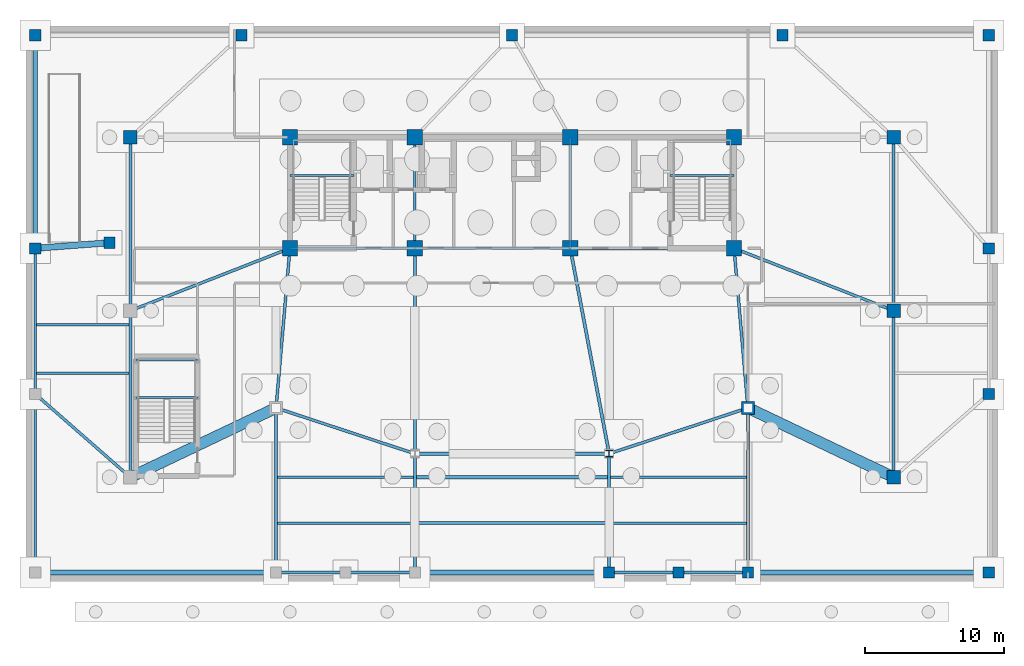
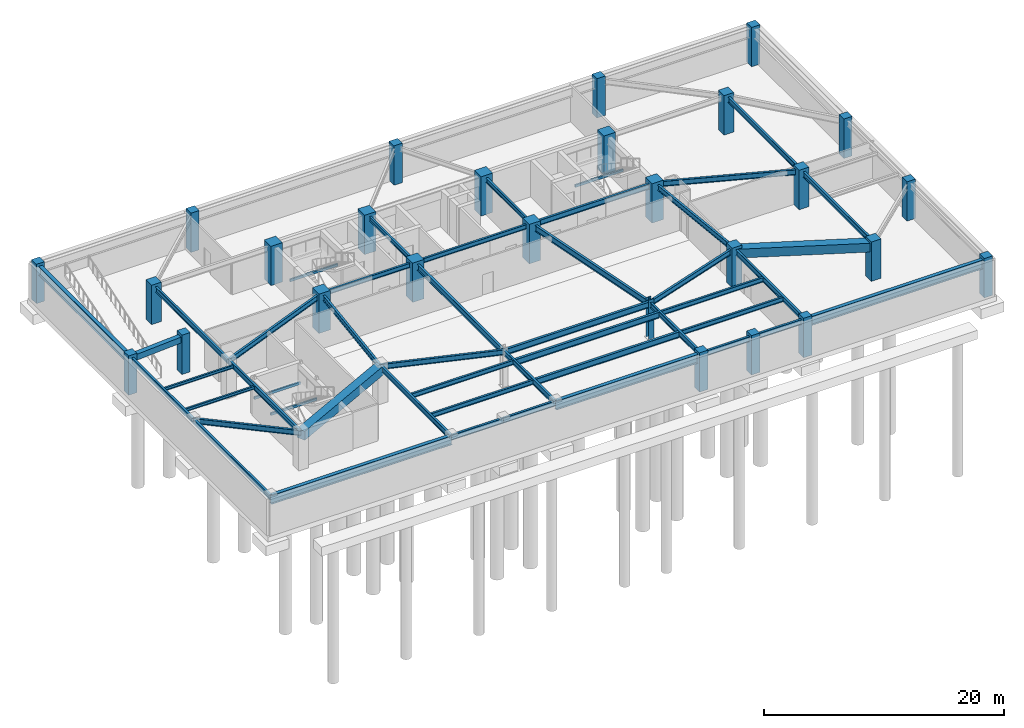
# One storey, part 3 of 10: 48 beams, 27 columns.
"""IFC4 building model written with IfcOpenShell, lengths in metres."""

from ifc_helpers import new_model, si_unit, direction, frame, origin, origin_2d, place, context, subcontext, project, spatial, rectangle, hollow_rectangle, i_section, extrude, source, transform, mapped, material, material_profile, profile_set, type_object, element, save


model = new_model("IFC4")

# Units and contexts
model_context = context("Model", 3, precision=1e-05, world=origin(), true_north=direction((0.0, 1.0)))
body_context = subcontext(model_context, "Body", "Model", "MODEL_VIEW")
ifc_project = project(units=[si_unit("LENGTHUNIT", "METRE"), si_unit("AREAUNIT", "SQUARE_METRE"), si_unit("VOLUMEUNIT", "CUBIC_METRE"), si_unit("PLANEANGLEUNIT", "RADIAN"), si_unit("MASSUNIT", "GRAM", prefix="KILO")], contexts=[model_context])

# Site, building, storey
site_placement = place(None, origin())
site = spatial("IfcSite", under=ifc_project, at=site_placement, CompositionType="ELEMENT")
building_placement = place(site_placement, origin())
building = spatial("IfcBuilding", under=site, at=building_placement, Name="Taldren Reach Tower", CompositionType="ELEMENT")
storey_placement = place(building_placement, frame((0.0, 0.0, -8.0)))
storey = spatial("IfcBuildingStorey", under=building, at=storey_placement, Name="B2", CompositionType="ELEMENT", Elevation=-8.0)

# Columns
ifc_material_1 = material(Name="Concrete S100 (100 MPa)", Category="concrete")
ifc_material_profile_1 = material_profile(ifc_material_1, rectangle(XDim=1.10009765625, YDim=1.10009765625, at=origin_2d()), Name="RC-1100x1100")
ifc_profile_set_1 = profile_set([ifc_material_profile_1], Name="Concrete S100 (100 MPa)")
column_type_1 = type_object("IfcColumnType", Name="COL-RC1100", PredefinedType="COLUMN", material=ifc_profile_set_1)
shared_shape_1 = source(origin(), body_context, "Body", "SweptSolid", [
    extrude(rectangle(XDim=1.10009765625, YDim=1.10009765625, at=origin_2d()), origin(), (0.0, 0.0, 1.0), 4.0),
])
for number, where, z_axis, x_axis, name in (
    (1, (19.0, 24.0, 0.0), (0.0, 0.0, 1.0), (1.0, 0.0, 0.0), "Mega column MC-C1 B2"),
    (2, (28.0, 24.0, 0.0), (0.0, 0.0, 1.0), (1.0, 0.0, 0.0), "Mega column MC-C2 B2"),
    (3, (39.199951171875, 24.0, 0.0), (0.0, 0.0, 1.0), (1.0, 0.0, 0.0), "Mega column MC-C3 B2"),
    (4, (51.0, 24.0, 0.0), (0.0, 0.0, 1.0), (1.0, 0.0, 0.0), "Mega column MC-C4 B2"),
    (5, (19.0, 32.0, 0.0), (0.0, 0.0, 1.0), (1.0, 0.0, 0.0), "Mega column MC-C5 B2"),
    (6, (28.0, 32.0, 0.0), (0.0, 0.0, 1.0), (1.0, 0.0, 0.0), "Mega column MC-C6 B2"),
    (7, (39.199951171875, 32.0, 0.0), (0.0, 0.0, 1.0), (1.0, 0.0, 0.0), "Mega column MC-C7 B2"),
    (8, (51.0, 32.0, 0.0), (0.0, 0.0, 1.0), (1.0, 0.0, 0.0), "Mega column MC-C8 B2"),
):
    element("IfcColumn", number, at=place(storey_placement, frame(where, z_axis=z_axis, x_axis=x_axis)), inside=storey, type_object=column_type_1, Name=name, PredefinedType="COLUMN", context=body_context, shape_type="MappedRepresentation", body=[
        mapped(shared_shape_1, transform((0.0, 0.0, 0.0), scale=1.0)),
    ])
ifc_material_2 = material(Name="Steel Gr 350 (350PLUS)", Category="steel")
ifc_material_profile_2 = material_profile(ifc_material_2, i_section(OverallWidth=0.5, OverallDepth=0.47998046875, WebThickness=0.028076171875, FlangeThickness=0.0439453125, at=origin_2d()), Name="500WC440")
ifc_profile_set_2 = profile_set([ifc_material_profile_2], Name="Steel Gr 350 (350PLUS)")
column_type_2 = type_object("IfcColumnType", Name="COL-WC500A", PredefinedType="COLUMN", material=ifc_profile_set_2)
shared_shape_2 = source(origin(), body_context, "Body", "SweptSolid", [
    extrude(i_section(OverallWidth=0.5, OverallDepth=0.47998046875, WebThickness=0.028076171875, FlangeThickness=0.0439453125, at=origin_2d()), origin(), (0.0, 0.0, 1.0), 4.0),
])
column_placement = place(storey_placement, frame((42.0, 9.199951171875, 0.0), z_axis=(0.0, 0.0, 1.0), x_axis=(1.0, 0.0, 0.0)))
element("IfcColumn", 9, at=column_placement, inside=storey, type_object=column_type_2, Name="Mega column MC-PJE B2", PredefinedType="COLUMN", context=body_context, shape_type="MappedRepresentation", body=[
    mapped(shared_shape_2, transform((0.0, 0.0, 0.0), scale=1.0)),
])
ifc_material_3 = material(Name="Concrete S80 (80 MPa)", Category="concrete")
ifc_material_profile_3 = material_profile(ifc_material_3, rectangle(XDim=0.949951171875, YDim=0.949951171875, at=origin_2d()), Name="RC-950x950")
ifc_profile_set_3 = profile_set([ifc_material_profile_3], Name="Concrete S80 (80 MPa)")
column_type_3 = type_object("IfcColumnType", Name="COL-RC950", PredefinedType="COLUMN", material=ifc_profile_set_3)
shared_shape_3 = source(origin(), body_context, "Body", "SweptSolid", [
    extrude(rectangle(XDim=0.949951171875, YDim=0.949951171875, at=origin_2d()), origin(), (0.0, 0.0, 1.0), 4.0),
])
for number, where, z_axis, x_axis, name in (
    (10, (52.0, 12.5, 0.0), (0.0, 0.0, 1.0), (1.0, 0.0, 0.0), "Mega column MC-SE B2"),
    (11, (7.5, 32.0, 0.0), (0.0, 0.0, 1.0), (1.0, 0.0, 0.0), "Podium structural column PG-3 B2"),
    (12, (62.5, 7.5, 0.0), (0.0, 0.0, 1.0), (1.0, 0.0, 0.0), "Podium structural column PG-4 B2"),
    (13, (62.5, 19.5, 0.0), (0.0, 0.0, 1.0), (1.0, 0.0, 0.0), "Podium structural column PG-5 B2"),
    (14, (62.5, 32.0, 0.0), (0.0, 0.0, 1.0), (1.0, 0.0, 0.0), "Podium structural column PG-6 B2"),
):
    element("IfcColumn", number, at=place(storey_placement, frame(where, z_axis=z_axis, x_axis=x_axis)), inside=storey, type_object=column_type_3, Name=name, PredefinedType="COLUMN", context=body_context, shape_type="MappedRepresentation", body=[
        mapped(shared_shape_3, transform((0.0, 0.0, 0.0), scale=1.0)),
    ])
ifc_material_4 = material(Name="Concrete S65 (65 MPa)", Category="concrete")
ifc_material_profile_4 = material_profile(ifc_material_4, rectangle(XDim=0.800048828125, YDim=0.800048828125, at=origin_2d()), Name="RC-800x800")
ifc_profile_set_4 = profile_set([ifc_material_profile_4], Name="Concrete S65 (65 MPa)")
column_type_4 = type_object("IfcColumnType", Name="COL-RC800", PredefinedType="COLUMN", material=ifc_profile_set_4)
shared_shape_4 = source(origin(), body_context, "Body", "SweptSolid", [
    extrude(rectangle(XDim=0.800048828125, YDim=0.800048828125, at=origin_2d()), origin(), (0.0, 0.0, 1.0), 4.0),
])
for number, where, z_axis, x_axis, name in (
    (15, (42.0, 0.64990234375, 0.0), (0.0, 0.0, 1.0), (1.0, 0.0, 0.0), "Podium structural column PG-8 B2"),
    (16, (0.64990234375, 24.0, 0.0), (0.0, 0.0, 1.0), (1.0, 0.0, 0.0), "Podium structural column PP-W3 B2"),
    (17, (0.64990234375, 39.35009765625, 0.0), (0.0, 0.0, 1.0), (1.0, 0.0, 0.0), "Podium structural column PP-W4 B2"),
    (18, (69.35009765625, 0.64990234375, 0.0), (0.0, 0.0, 1.0), (1.0, 0.0, 0.0), "Podium structural column PP-E1 B2"),
    (19, (69.35009765625, 13.5, 0.0), (0.0, 0.0, 1.0), (1.0, 0.0, 0.0), "Podium structural column PP-E2 B2"),
    (20, (69.35009765625, 24.0, 0.0), (0.0, 0.0, 1.0), (1.0, 0.0, 0.0), "Podium structural column PP-E3 B2"),
    (21, (69.35009765625, 39.35009765625, 0.0), (0.0, 0.0, 1.0), (1.0, 0.0, 0.0), "Podium structural column PP-E4 B2"),
    (22, (47.0, 0.64990234375, 0.0), (0.0, 0.0, 1.0), (1.0, 0.0, 0.0), "Podium structural column PP-S3 B2"),
    (23, (52.0, 0.64990234375, 0.0), (0.0, 0.0, 1.0), (1.0, 0.0, 0.0), "Podium structural column PP-S4 B2"),
    (24, (15.5, 39.35009765625, 0.0), (0.0, 0.0, 1.0), (1.0, 0.0, 0.0), "Podium structural column PP-N1 B2"),
    (25, (35.0, 39.35009765625, 0.0), (0.0, 0.0, 1.0), (1.0, 0.0, 0.0), "Podium structural column PP-N2 B2"),
    (26, (54.5, 39.35009765625, 0.0), (0.0, 0.0, 1.0), (1.0, 0.0, 0.0), "Podium structural column PP-N3 B2"),
    (27, (6.0, 24.39990234375, 0.0), (0.0, 0.0, 1.0), (1.0, 0.0, 0.0), "Podium structural column PG-RMP B2"),
):
    element("IfcColumn", number, at=place(storey_placement, frame(where, z_axis=z_axis, x_axis=x_axis)), inside=storey, type_object=column_type_4, Name=name, PredefinedType="COLUMN", context=body_context, shape_type="MappedRepresentation", body=[
        mapped(shared_shape_4, transform((0.0, 0.0, 0.0), scale=1.0)),
    ])

# Beams
ifc_material_profile_5 = material_profile(ifc_material_2, i_section(OverallWidth=0.19091796875, OverallDepth=0.4599609375, WebThickness=0.010009765625, FlangeThickness=0.01611328125, at=origin_2d()), Name="460UB82.1")
ifc_profile_set_5 = profile_set([ifc_material_profile_5], Name="Steel Gr 350 (350PLUS)")
beam_type_1 = type_object("IfcBeamType", Name="BM-UB460A", PredefinedType="BEAM", material=ifc_profile_set_5)
shared_shape_5 = source(origin(), body_context, "Body", "SweptSolid", [
    extrude(i_section(OverallWidth=0.19091796875, OverallDepth=0.4599609375, WebThickness=0.010009765625, FlangeThickness=0.01611328125, at=origin_2d()), origin(), (0.0, 0.0, 1.0), 9.0),
])
beam_1_placement = place(storey_placement, frame((19.0, 24.0, 3.489990234375), z_axis=(1.0, 0.0, 0.0), x_axis=(0.0, 1.0, 0.0)))
element("IfcBeam", 28, at=beam_1_placement, inside=storey, type_object=beam_type_1, Name="Core-spine girder B2-SP01", PredefinedType="BEAM", context=body_context, shape_type="MappedRepresentation", body=[
    mapped(shared_shape_5, transform((0.0, 0.0, 0.0), scale=1.0)),
])
shared_shape_6 = source(origin(), body_context, "Body", "SweptSolid", [
    extrude(i_section(OverallWidth=0.19091796875, OverallDepth=0.4599609375, WebThickness=0.010009765625, FlangeThickness=0.01611328125, at=origin_2d()), origin(), (0.0, 0.0, 1.0), 11.199951171875),
])
beam_2_placement = place(storey_placement, frame((28.0, 24.0, 3.489990234375), z_axis=(1.0, 0.0, 0.0), x_axis=(0.0, 1.0, 0.0)))
element("IfcBeam", 29, at=beam_2_placement, inside=storey, type_object=beam_type_1, Name="Core-spine girder B2-SP02", PredefinedType="BEAM", context=body_context, shape_type="MappedRepresentation", body=[
    mapped(shared_shape_6, transform((0.0, 0.0, 0.0), scale=1.0)),
])
ifc_material_profile_6 = material_profile(ifc_material_2, i_section(OverallWidth=0.208984375, OverallDepth=0.532958984375, WebThickness=0.01025390625, FlangeThickness=0.015625, at=origin_2d()), Name="530UB92.4")
ifc_profile_set_6 = profile_set([ifc_material_profile_6], Name="Steel Gr 350 (350PLUS)")
beam_type_2 = type_object("IfcBeamType", Name="BM-UB530A", PredefinedType="BEAM", material=ifc_profile_set_6)
shared_shape_7 = source(origin(), body_context, "Body", "SweptSolid", [
    extrude(i_section(OverallWidth=0.208984375, OverallDepth=0.532958984375, WebThickness=0.01025390625, FlangeThickness=0.015625, at=origin_2d()), origin(), (0.0, 0.0, 1.0), 11.800048828125),
])
beam_3_placement = place(storey_placement, frame((39.199951171875, 24.0, 3.45361328125), z_axis=(1.0, 0.0, 0.0), x_axis=(0.0, 1.0, 0.0)))
element("IfcBeam", 30, at=beam_3_placement, inside=storey, type_object=beam_type_2, Name="Core-spine girder B2-SP03", PredefinedType="BEAM", context=body_context, shape_type="MappedRepresentation", body=[
    mapped(shared_shape_7, transform((0.0, 0.0, 0.0), scale=1.0)),
])
shared_shape_8 = source(origin(), body_context, "Body", "SweptSolid", [
    extrude(i_section(OverallWidth=0.19091796875, OverallDepth=0.4599609375, WebThickness=0.010009765625, FlangeThickness=0.01611328125, at=origin_2d()), origin(), (0.0, 0.0, 1.0), 8.0),
])
for number, where, z_axis, x_axis, name in (
    (31, (28.0, 24.0, 3.489990234375), (0.0, 1.0, 0.0), (-1.0, 0.0, 0.0), "Core-spine girder B2-SP07"),
    (32, (39.199951171875, 24.0, 3.489990234375), (0.0, 1.0, 0.0), (-1.0, 0.0, 0.0), "Core-spine girder B2-SP08"),
):
    element("IfcBeam", number, at=place(storey_placement, frame(where, z_axis=z_axis, x_axis=x_axis)), inside=storey, type_object=beam_type_1, Name=name, PredefinedType="BEAM", context=body_context, shape_type="MappedRepresentation", body=[
        mapped(shared_shape_8, transform((0.0, 0.0, 0.0), scale=1.0)),
    ])
shared_shape_9 = source(origin(), body_context, "Body", "SweptSolid", [
    extrude(i_section(OverallWidth=0.208984375, OverallDepth=0.532958984375, WebThickness=0.01025390625, FlangeThickness=0.015625, at=origin_2d()), origin(), (0.0, 0.0, 1.0), 11.54345703125),
])
for number, where, z_axis, x_axis, name in (
    (33, (19.0, 24.0, 3.45361328125), (-0.086629616365, -0.996240588196, 0.0), (0.996240588196, -0.086629616365, 0.0), "Core-spine girder B2-SP09"),
    (34, (52.0, 12.5, 3.45361328125), (-0.086629616365, 0.996240588196, 0.0), (-0.996240588196, -0.086629616365, 0.0), "Core-spine girder B2-SP13"),
):
    element("IfcBeam", number, at=place(storey_placement, frame(where, z_axis=z_axis, x_axis=x_axis)), inside=storey, type_object=beam_type_2, Name=name, PredefinedType="BEAM", context=body_context, shape_type="MappedRepresentation", body=[
        mapped(shared_shape_9, transform((0.0, 0.0, 0.0), scale=1.0)),
    ])
shared_shape_10 = source(origin(), body_context, "Body", "SweptSolid", [
    extrude(i_section(OverallWidth=0.208984375, OverallDepth=0.532958984375, WebThickness=0.01025390625, FlangeThickness=0.015625, at=origin_2d()), origin(), (0.0, 0.0, 1.0), 10.530517578125),
])
for number, where, z_axis, x_axis, name in (
    (35, (18.0, 12.5, 3.45361328125), (0.949627269203, -0.313381635689, 0.0), (0.313381635689, 0.949627269203, 0.0), "Core-spine girder B2-SP10"),
    (36, (42.0, 9.199951171875, 3.45361328125), (0.949627269203, 0.313381635689, 0.0), (-0.313381635689, 0.949627269203, 0.0), "Core-spine girder B2-SP12"),
):
    element("IfcBeam", number, at=place(storey_placement, frame(where, z_axis=z_axis, x_axis=x_axis)), inside=storey, type_object=beam_type_2, Name=name, PredefinedType="BEAM", context=body_context, shape_type="MappedRepresentation", body=[
        mapped(shared_shape_10, transform((0.0, 0.0, 0.0), scale=1.0)),
    ])
ifc_material_profile_7 = material_profile(ifc_material_2, i_section(OverallWidth=0.22802734375, OverallDepth=0.60205078125, WebThickness=0.010498046875, FlangeThickness=0.014892578125, at=origin_2d()), Name="610UB101")
ifc_profile_set_7 = profile_set([ifc_material_profile_7], Name="Steel Gr 350 (350PLUS)")
beam_type_3 = type_object("IfcBeamType", Name="BM-UB610B", PredefinedType="BEAM", material=ifc_profile_set_7)
shared_shape_11 = source(origin(), body_context, "Body", "SweptSolid", [
    extrude(i_section(OverallWidth=0.22802734375, OverallDepth=0.60205078125, WebThickness=0.010498046875, FlangeThickness=0.014892578125, at=origin_2d()), origin(), (0.0, 0.0, 1.0), 14.0),
])
beam_4_placement = place(storey_placement, frame((28.0, 9.199951171875, 3.4189453125), z_axis=(1.0, 0.0, 0.0), x_axis=(0.0, 1.0, 0.0)))
element("IfcBeam", 37, at=beam_4_placement, inside=storey, type_object=beam_type_3, Name="Core-spine girder B2-SP11", PredefinedType="BEAM", context=body_context, shape_type="MappedRepresentation", body=[
    mapped(shared_shape_11, transform((0.0, 0.0, 0.0), scale=1.0)),
])
shared_shape_12 = source(origin(), body_context, "Body", "SweptSolid", [
    extrude(i_section(OverallWidth=0.22802734375, OverallDepth=0.60205078125, WebThickness=0.010498046875, FlangeThickness=0.014892578125, at=origin_2d()), origin(), (0.0, 0.0, 1.0), 14.800048828125),
])
beam_5_placement = place(storey_placement, frame((28.0, 24.0, 3.4189453125), z_axis=(0.0, -1.0, 0.0), x_axis=(1.0, 0.0, 0.0)))
element("IfcBeam", 38, at=beam_5_placement, inside=storey, type_object=beam_type_3, Name="Core-spine girder B2-SP14", PredefinedType="BEAM", context=body_context, shape_type="MappedRepresentation", body=[
    mapped(shared_shape_12, transform((0.0, 0.0, 0.0), scale=1.0)),
])
shared_shape_13 = source(origin(), body_context, "Body", "SweptSolid", [
    extrude(i_section(OverallWidth=0.22802734375, OverallDepth=0.60205078125, WebThickness=0.010498046875, FlangeThickness=0.014892578125, at=origin_2d()), origin(), (0.0, 0.0, 1.0), 15.0625),
])
beam_6_placement = place(storey_placement, frame((39.199951171875, 24.0, 3.4189453125), z_axis=(0.185894205668, -0.982569765614, 0.0), x_axis=(0.982569765614, 0.185894205668, 0.0)))
element("IfcBeam", 39, at=beam_6_placement, inside=storey, type_object=beam_type_3, Name="Core-spine girder B2-SP15", PredefinedType="BEAM", context=body_context, shape_type="MappedRepresentation", body=[
    mapped(shared_shape_13, transform((0.0, 0.0, 0.0), scale=1.0)),
])
ifc_material_profile_8 = material_profile(ifc_material_2, i_section(OverallWidth=0.35009765625, OverallDepth=0.916015625, WebThickness=0.013916015625, FlangeThickness=0.028076171875, at=origin_2d()), Name="900WB257")
ifc_profile_set_8 = profile_set([ifc_material_profile_8], Name="Steel Gr 350 (350PLUS)")
beam_type_4 = type_object("IfcBeamType", Name="BM-WB900", PredefinedType="BEAM", material=ifc_profile_set_8)
shared_shape_14 = source(origin(), body_context, "Body", "SweptSolid", [
    extrude(i_section(OverallWidth=0.35009765625, OverallDepth=0.916015625, WebThickness=0.013916015625, FlangeThickness=0.028076171875, at=origin_2d()), origin(), (0.0, 0.0, 1.0), 17.35009765625),
])
for number, where, z_axis, x_axis, name in (
    (40, (0.64990234375, 0.64990234375, 3.261962890625), (1.0, 0.0, 0.0), (0.0, 1.0, 0.0), "Podium girder B2-PD01"),
    (41, (52.0, 0.64990234375, 3.261962890625), (1.0, 0.0, 0.0), (0.0, 1.0, 0.0), "Podium girder B2-PD07"),
):
    element("IfcBeam", number, at=place(storey_placement, frame(where, z_axis=z_axis, x_axis=x_axis)), inside=storey, type_object=beam_type_4, Name=name, PredefinedType="BEAM", context=body_context, shape_type="MappedRepresentation", body=[
        mapped(shared_shape_14, transform((0.0, 0.0, 0.0), scale=1.0)),
    ])
ifc_material_profile_9 = material_profile(ifc_material_2, i_section(OverallWidth=0.208984375, OverallDepth=0.528076171875, WebThickness=0.009521484375, FlangeThickness=0.01318359375, at=origin_2d()), Name="530UB82.0")
ifc_profile_set_9 = profile_set([ifc_material_profile_9], Name="Steel Gr 350 (350PLUS)")
beam_type_5 = type_object("IfcBeamType", Name="SP-UB530B", PredefinedType="SPANDREL", material=ifc_profile_set_9)
shared_shape_15 = source(origin(), body_context, "Body", "SweptSolid", [
    extrude(i_section(OverallWidth=0.208984375, OverallDepth=0.528076171875, WebThickness=0.009521484375, FlangeThickness=0.01318359375, at=origin_2d()), origin(), (0.0, 0.0, 1.0), 5.0),
])
for number, where, z_axis, x_axis, name in (
    (42, (18.0, 0.64990234375, 3.4560546875), (1.0, 0.0, 0.0), (0.0, 1.0, 0.0), "Podium beam B2-PD02"),
    (43, (23.0, 0.64990234375, 3.4560546875), (1.0, 0.0, 0.0), (0.0, 1.0, 0.0), "Podium beam B2-PD03"),
    (44, (42.0, 0.64990234375, 3.4560546875), (1.0, 0.0, 0.0), (0.0, 1.0, 0.0), "Podium beam B2-PD05"),
    (45, (47.0, 0.64990234375, 3.4560546875), (1.0, 0.0, 0.0), (0.0, 1.0, 0.0), "Podium beam B2-PD06"),
):
    element("IfcBeam", number, at=place(storey_placement, frame(where, z_axis=z_axis, x_axis=x_axis)), inside=storey, type_object=beam_type_5, Name=name, PredefinedType="SPANDREL", context=body_context, shape_type="MappedRepresentation", body=[
        mapped(shared_shape_15, transform((0.0, 0.0, 0.0), scale=1.0)),
    ])
shared_shape_16 = source(origin(), body_context, "Body", "SweptSolid", [
    extrude(i_section(OverallWidth=0.35009765625, OverallDepth=0.916015625, WebThickness=0.013916015625, FlangeThickness=0.028076171875, at=origin_2d()), origin(), (0.0, 0.0, 1.0), 14.0),
])
beam_7_placement = place(storey_placement, frame((28.0, 0.64990234375, 3.261962890625), z_axis=(1.0, 0.0, 0.0), x_axis=(0.0, 1.0, 0.0)))
element("IfcBeam", 46, at=beam_7_placement, inside=storey, type_object=beam_type_4, Name="Podium girder B2-PD04", PredefinedType="BEAM", context=body_context, shape_type="MappedRepresentation", body=[
    mapped(shared_shape_16, transform((0.0, 0.0, 0.0), scale=1.0)),
])
shared_shape_17 = source(origin(), body_context, "Body", "SweptSolid", [
    extrude(i_section(OverallWidth=0.208984375, OverallDepth=0.528076171875, WebThickness=0.009521484375, FlangeThickness=0.01318359375, at=origin_2d()), origin(), (0.0, 0.0, 1.0), 12.85009765625),
])
beam_8_placement = place(storey_placement, frame((0.64990234375, 0.64990234375, 3.4560546875), z_axis=(0.0, 1.0, 0.0), x_axis=(-1.0, 0.0, 0.0)))
element("IfcBeam", 47, at=beam_8_placement, inside=storey, type_object=beam_type_5, Name="Podium beam B2-PD12", PredefinedType="SPANDREL", context=body_context, shape_type="MappedRepresentation", body=[
    mapped(shared_shape_17, transform((0.0, 0.0, 0.0), scale=1.0)),
])
shared_shape_18 = source(origin(), body_context, "Body", "SweptSolid", [
    extrude(i_section(OverallWidth=0.208984375, OverallDepth=0.528076171875, WebThickness=0.009521484375, FlangeThickness=0.01318359375, at=origin_2d()), origin(), (0.0, 0.0, 1.0), 10.5),
])
beam_9_placement = place(storey_placement, frame((0.64990234375, 13.5, 3.4560546875), z_axis=(0.0, 1.0, 0.0), x_axis=(-1.0, 0.0, 0.0)))
element("IfcBeam", 48, at=beam_9_placement, inside=storey, type_object=beam_type_5, Name="Podium beam B2-PD13", PredefinedType="SPANDREL", context=body_context, shape_type="MappedRepresentation", body=[
    mapped(shared_shape_18, transform((0.0, 0.0, 0.0), scale=1.0)),
])
shared_shape_19 = source(origin(), body_context, "Body", "SweptSolid", [
    extrude(i_section(OverallWidth=0.35009765625, OverallDepth=0.916015625, WebThickness=0.013916015625, FlangeThickness=0.028076171875, at=origin_2d()), origin(), (0.0, 0.0, 1.0), 15.35009765625),
])
beam_10_placement = place(storey_placement, frame((0.64990234375, 24.0, 3.261962890625), z_axis=(0.0, 1.0, 0.0), x_axis=(-1.0, 0.0, 0.0)))
element("IfcBeam", 49, at=beam_10_placement, inside=storey, type_object=beam_type_4, Name="Podium girder B2-PD14", PredefinedType="BEAM", context=body_context, shape_type="MappedRepresentation", body=[
    mapped(shared_shape_19, transform((0.0, 0.0, 0.0), scale=1.0)),
])
shared_shape_20 = source(origin(), body_context, "Body", "SweptSolid", [
    extrude(i_section(OverallWidth=0.208984375, OverallDepth=0.532958984375, WebThickness=0.01025390625, FlangeThickness=0.015625, at=origin_2d()), origin(), (0.0, 0.0, 1.0), 9.106201171875),
])
beam_11_placement = place(storey_placement, frame((0.64990234375, 13.5, 3.45361328125), z_axis=(0.75224111342, -0.658887932262, 0.0), x_axis=(0.658887932262, 0.75224111342, 0.0)))
element("IfcBeam", 50, at=beam_11_placement, inside=storey, type_object=beam_type_2, Name="Podium beam B2-PD18", PredefinedType="BEAM", context=body_context, shape_type="MappedRepresentation", body=[
    mapped(shared_shape_20, transform((0.0, 0.0, 0.0), scale=1.0)),
])
shared_shape_21 = source(origin(), body_context, "Body", "SweptSolid", [
    extrude(i_section(OverallWidth=0.208984375, OverallDepth=0.532958984375, WebThickness=0.01025390625, FlangeThickness=0.015625, at=origin_2d()), origin(), (0.0, 0.0, 1.0), 12.0),
])
for number, where, z_axis, x_axis, name in (
    (51, (7.5, 7.5, 3.45361328125), (0.0, 1.0, 0.0), (-1.0, 0.0, 0.0), "Podium beam B2-PD19"),
    (52, (62.5, 7.5, 3.45361328125), (0.0, 1.0, 0.0), (-1.0, 0.0, 0.0), "Podium beam B2-PD27"),
):
    element("IfcBeam", number, at=place(storey_placement, frame(where, z_axis=z_axis, x_axis=x_axis)), inside=storey, type_object=beam_type_2, Name=name, PredefinedType="BEAM", context=body_context, shape_type="MappedRepresentation", body=[
        mapped(shared_shape_21, transform((0.0, 0.0, 0.0), scale=1.0)),
    ])
shared_shape_22 = source(origin(), body_context, "Body", "SweptSolid", [
    extrude(i_section(OverallWidth=0.208984375, OverallDepth=0.532958984375, WebThickness=0.01025390625, FlangeThickness=0.015625, at=origin_2d()), origin(), (0.0, 0.0, 1.0), 12.5),
])
for number, where, z_axis, x_axis, name in (
    (53, (7.5, 19.5, 3.45361328125), (0.0, 1.0, 0.0), (-1.0, 0.0, 0.0), "Podium beam B2-PD20"),
    (54, (62.5, 19.5, 3.45361328125), (0.0, 1.0, 0.0), (-1.0, 0.0, 0.0), "Podium beam B2-PD28"),
):
    element("IfcBeam", number, at=place(storey_placement, frame(where, z_axis=z_axis, x_axis=x_axis)), inside=storey, type_object=beam_type_2, Name=name, PredefinedType="BEAM", context=body_context, shape_type="MappedRepresentation", body=[
        mapped(shared_shape_22, transform((0.0, 0.0, 0.0), scale=1.0)),
    ])
shared_shape_23 = source(origin(), body_context, "Body", "SweptSolid", [
    extrude(i_section(OverallWidth=0.208984375, OverallDepth=0.532958984375, WebThickness=0.01025390625, FlangeThickness=0.015625, at=origin_2d()), origin(), (0.0, 0.0, 1.0), 11.85009765625),
])
for number, where, z_axis, x_axis, name in (
    (55, (18.0, 0.64990234375, 3.45361328125), (0.0, 1.0, 0.0), (-1.0, 0.0, 0.0), "Podium beam B2-PD22"),
    (56, (52.0, 0.64990234375, 3.45361328125), (0.0, 1.0, 0.0), (-1.0, 0.0, 0.0), "Podium beam B2-PD25"),
):
    element("IfcBeam", number, at=place(storey_placement, frame(where, z_axis=z_axis, x_axis=x_axis)), inside=storey, type_object=beam_type_2, Name=name, PredefinedType="BEAM", context=body_context, shape_type="MappedRepresentation", body=[
        mapped(shared_shape_23, transform((0.0, 0.0, 0.0), scale=1.0)),
    ])
shared_shape_24 = source(origin(), body_context, "Body", "SweptSolid", [
    extrude(i_section(OverallWidth=0.208984375, OverallDepth=0.532958984375, WebThickness=0.01025390625, FlangeThickness=0.015625, at=origin_2d()), origin(), (0.0, 0.0, 1.0), 8.550048828125),
])
for number, where, z_axis, x_axis, name in (
    (57, (28.0, 0.64990234375, 3.45361328125), (0.0, 1.0, 0.0), (-1.0, 0.0, 0.0), "Podium beam B2-PD23"),
    (58, (42.0, 0.64990234375, 3.45361328125), (0.0, 1.0, 0.0), (-1.0, 0.0, 0.0), "Podium beam B2-PD24"),
):
    element("IfcBeam", number, at=place(storey_placement, frame(where, z_axis=z_axis, x_axis=x_axis)), inside=storey, type_object=beam_type_2, Name=name, PredefinedType="BEAM", context=body_context, shape_type="MappedRepresentation", body=[
        mapped(shared_shape_24, transform((0.0, 0.0, 0.0), scale=1.0)),
    ])
shared_shape_25 = source(origin(), body_context, "Body", "SweptSolid", [
    extrude(i_section(OverallWidth=0.208984375, OverallDepth=0.532958984375, WebThickness=0.01025390625, FlangeThickness=0.015625, at=origin_2d()), origin(), (0.0, 0.0, 1.0), 12.34912109375),
])
for number, where, z_axis, x_axis, name in (
    (59, (7.5, 19.5, 3.45361328125), (0.931242779706, 0.364399348581, 0.0), (-0.364399348581, 0.931242779706, 0.0), "Podium beam B2-PD30"),
    (60, (51.0, 24.0, 3.45361328125), (0.931242779706, -0.364399348581, 0.0), (0.364399348581, 0.931242779706, 0.0), "Podium beam B2-PD32"),
):
    element("IfcBeam", number, at=place(storey_placement, frame(where, z_axis=z_axis, x_axis=x_axis)), inside=storey, type_object=beam_type_2, Name=name, PredefinedType="BEAM", context=body_context, shape_type="MappedRepresentation", body=[
        mapped(shared_shape_25, transform((0.0, 0.0, 0.0), scale=1.0)),
    ])
shared_shape_26 = source(origin(), body_context, "Body", "SweptSolid", [
    extrude(i_section(OverallWidth=0.19091796875, OverallDepth=0.4599609375, WebThickness=0.010009765625, FlangeThickness=0.01611328125, at=origin_2d()), origin(), (0.0, 0.0, 1.0), 9.791015625),
])
for number, where, z_axis, x_axis, name in (
    (61, (18.1044921875, 4.199951171875, 3.489990234375), (1.0, 0.0, 0.0), (0.0, 1.0, 0.0), "Podium composite floor beam B2-1.1"),
    (62, (42.1044921875, 4.199951171875, 3.489990234375), (1.0, 0.0, 0.0), (0.0, 1.0, 0.0), "Podium composite floor beam B2-1.3"),
    (63, (18.1044921875, 7.5, 3.489990234375), (1.0, 0.0, 0.0), (0.0, 1.0, 0.0), "Podium composite floor beam B2-2.1"),
    (64, (42.1044921875, 7.5, 3.489990234375), (1.0, 0.0, 0.0), (0.0, 1.0, 0.0), "Podium composite floor beam B2-2.3"),
):
    element("IfcBeam", number, at=place(storey_placement, frame(where, z_axis=z_axis, x_axis=x_axis)), inside=storey, type_object=beam_type_1, Name=name, PredefinedType="BEAM", context=body_context, shape_type="MappedRepresentation", body=[
        mapped(shared_shape_26, transform((0.0, 0.0, 0.0), scale=1.0)),
    ])
shared_shape_27 = source(origin(), body_context, "Body", "SweptSolid", [
    extrude(i_section(OverallWidth=0.22802734375, OverallDepth=0.60205078125, WebThickness=0.010498046875, FlangeThickness=0.014892578125, at=origin_2d()), origin(), (0.0, 0.0, 1.0), 13.791015625),
])
for number, where, z_axis, x_axis, name in (
    (65, (28.1044921875, 4.199951171875, 3.4189453125), (1.0, 0.0, 0.0), (0.0, 1.0, 0.0), "Podium composite floor beam B2-1.2"),
    (66, (28.1044921875, 7.5, 3.4189453125), (1.0, 0.0, 0.0), (0.0, 1.0, 0.0), "Podium composite floor beam B2-2.2"),
):
    element("IfcBeam", number, at=place(storey_placement, frame(where, z_axis=z_axis, x_axis=x_axis)), inside=storey, type_object=beam_type_3, Name=name, PredefinedType="BEAM", context=body_context, shape_type="MappedRepresentation", body=[
        mapped(shared_shape_27, transform((0.0, 0.0, 0.0), scale=1.0)),
    ])
ifc_material_5 = material(Name="Steel Gr 300 (300PLUS, 300 MPa)", Category="steel")
ifc_material_profile_10 = material_profile(ifc_material_5, i_section(OverallWidth=0.166015625, OverallDepth=0.306884765625, WebThickness=0.006591796875, FlangeThickness=0.01171875, at=origin_2d()), Name="310UB46.2")
ifc_profile_set_10 = profile_set([ifc_material_profile_10], Name="Steel Gr 300 (300PLUS, 300 MPa)")
beam_type_6 = type_object("IfcBeamType", Name="JS-UB310", PredefinedType="JOIST", material=ifc_profile_set_10)
shared_shape_28 = source(origin(), body_context, "Body", "SweptSolid", [
    extrude(i_section(OverallWidth=0.166015625, OverallDepth=0.306884765625, WebThickness=0.006591796875, FlangeThickness=0.01171875, at=origin_2d()), origin(), (0.0, 0.0, 1.0), 6.64111328125),
])
for number, where, z_axis, x_axis, name in (
    (67, (0.75439453125, 15.0, 3.56640625), (1.0, 0.0, 0.0), (0.0, 1.0, 0.0), "Podium wing floor joist B2-3.1"),
    (68, (0.75439453125, 18.5, 3.56640625), (1.0, 0.0, 0.0), (0.0, 1.0, 0.0), "Podium wing floor joist B2-4.1"),
):
    element("IfcBeam", number, at=place(storey_placement, frame(where, z_axis=z_axis, x_axis=x_axis)), inside=storey, type_object=beam_type_6, Name=name, PredefinedType="JOIST", context=body_context, shape_type="MappedRepresentation", body=[
        mapped(shared_shape_28, transform((0.0, 0.0, 0.0), scale=1.0)),
    ])
ifc_material_6 = material(Name="Concrete S50 (50 MPa)", Category="concrete")
ifc_material_profile_11 = material_profile(ifc_material_6, rectangle(XDim=0.449951171875, YDim=0.60009765625, at=origin_2d()), Name="RC-600x450")
ifc_profile_set_11 = profile_set([ifc_material_profile_11], Name="Concrete S50 (50 MPa)")
beam_type_7 = type_object("IfcBeamType", Name="LN-RC600", PredefinedType="LINTEL", material=ifc_profile_set_11)
shared_shape_29 = source(origin(), body_context, "Body", "SweptSolid", [
    extrude(rectangle(XDim=0.449951171875, YDim=0.60009765625, at=origin_2d()), origin(), (0.0, 0.0, 1.0), 5.364990234375),
])
beam_12_placement = place(storey_placement, frame((0.64990234375, 24.0, 3.419921875), z_axis=(0.997218114176, 0.074538800357, 0.0), x_axis=(-0.074538800357, 0.997218114176, 0.0)))
element("IfcBeam", 69, at=beam_12_placement, inside=storey, type_object=beam_type_7, Name="Vehicle ramp portal lintel B2", PredefinedType="LINTEL", context=body_context, shape_type="MappedRepresentation", body=[
    mapped(shared_shape_29, transform((0.0, 0.0, 0.0), scale=1.0)),
])
ifc_material_profile_12 = material_profile(ifc_material_4, rectangle(XDim=0.800048828125, YDim=0.89990234375, at=origin_2d()), Name="RC-GB800x900")
ifc_profile_set_12 = profile_set([ifc_material_profile_12], Name="Concrete S65 (65 MPa)")
beam_type_8 = type_object("IfcBeamType", Name="BM-RCGB900", PredefinedType="BEAM", material=ifc_profile_set_12)
shared_shape_30 = source(origin(), body_context, "Body", "SweptSolid", [
    extrude(rectangle(XDim=0.800048828125, YDim=0.89990234375, at=origin_2d()), origin(), (0.0, 0.0, 1.0), 11.629638671875),
])
for number, where, z_axis, x_axis, name in (
    (70, (7.5, 7.5, 3.27001953125), (0.902860518824, 0.429933580392, 0.0), (-0.429933580392, 0.902860518824, 0.0), "Basement ground tie girder B2-1"),
    (71, (52.0, 12.5, 3.27001953125), (0.902860518824, -0.429933580392, 0.0), (0.429933580392, 0.902860518824, 0.0), "Basement ground tie girder B2-2"),
):
    element("IfcBeam", number, at=place(storey_placement, frame(where, z_axis=z_axis, x_axis=x_axis)), inside=storey, type_object=beam_type_8, Name=name, PredefinedType="BEAM", context=body_context, shape_type="MappedRepresentation", body=[
        mapped(shared_shape_30, transform((0.0, 0.0, 0.0), scale=1.0)),
    ])
ifc_material_7 = material(Name="Steel Gr 350 (C350L0)", Category="steel")
ifc_material_profile_13 = material_profile(ifc_material_7, hollow_rectangle(XDim=0.14990234375, YDim=0.25, WallThickness=0.009033203125, at=origin_2d()), Name="250x150x9.0RHS")
ifc_profile_set_13 = profile_set([ifc_material_profile_13], Name="Steel Gr 350 (C350L0)")
beam_type_9 = type_object("IfcBeamType", Name="LN-RHS250", PredefinedType="LINTEL", material=ifc_profile_set_13)
shared_shape_31 = source(origin(), body_context, "Body", "SweptSolid", [
    extrude(hollow_rectangle(XDim=0.14990234375, YDim=0.25, WallThickness=0.009033203125, at=origin_2d()), origin(), (0.0, 0.0, 1.0), 4.60009765625),
])
for number, where, z_axis, x_axis, name in (
    (72, (19.0, 29.2548828125, 1.695068359375), (1.0, 0.0, 0.0), (0.0, 1.0, 0.0), "Stair half-landing support beam ST1-B2-1"),
    (73, (46.39990234375, 29.2548828125, 1.695068359375), (1.0, 0.0, 0.0), (0.0, 1.0, 0.0), "Stair half-landing support beam ST2-B2-1"),
):
    element("IfcBeam", number, at=place(storey_placement, frame(where, z_axis=z_axis, x_axis=x_axis)), inside=storey, type_object=beam_type_9, Name=name, PredefinedType="LINTEL", context=body_context, shape_type="MappedRepresentation", body=[
        mapped(shared_shape_31, transform((0.0, 0.0, 0.0), scale=1.0)),
    ])
shared_shape_32 = source(origin(), body_context, "Body", "SweptSolid", [
    extrude(hollow_rectangle(XDim=0.14990234375, YDim=0.25, WallThickness=0.009033203125, at=origin_2d()), origin(), (0.0, 0.0, 1.0), 4.440185546875),
])
for number, where, z_axis, x_axis, name in (
    (74, (7.89990234375, 13.2548828125, 1.695068359375), (1.0, 0.0, 0.0), (0.0, 1.0, 0.0), "Stair half-landing support beam ST3-B2-1"),
    (75, (7.89990234375, 15.9599609375, 1.695068359375), (1.0, 0.0, 0.0), (0.0, 1.0, 0.0), "Stair half-landing support beam ST3-B2-2"),
):
    element("IfcBeam", number, at=place(storey_placement, frame(where, z_axis=z_axis, x_axis=x_axis)), inside=storey, type_object=beam_type_9, Name=name, PredefinedType="LINTEL", context=body_context, shape_type="MappedRepresentation", body=[
        mapped(shared_shape_32, transform((0.0, 0.0, 0.0), scale=1.0)),
    ])

save(model, "model.ifc")
